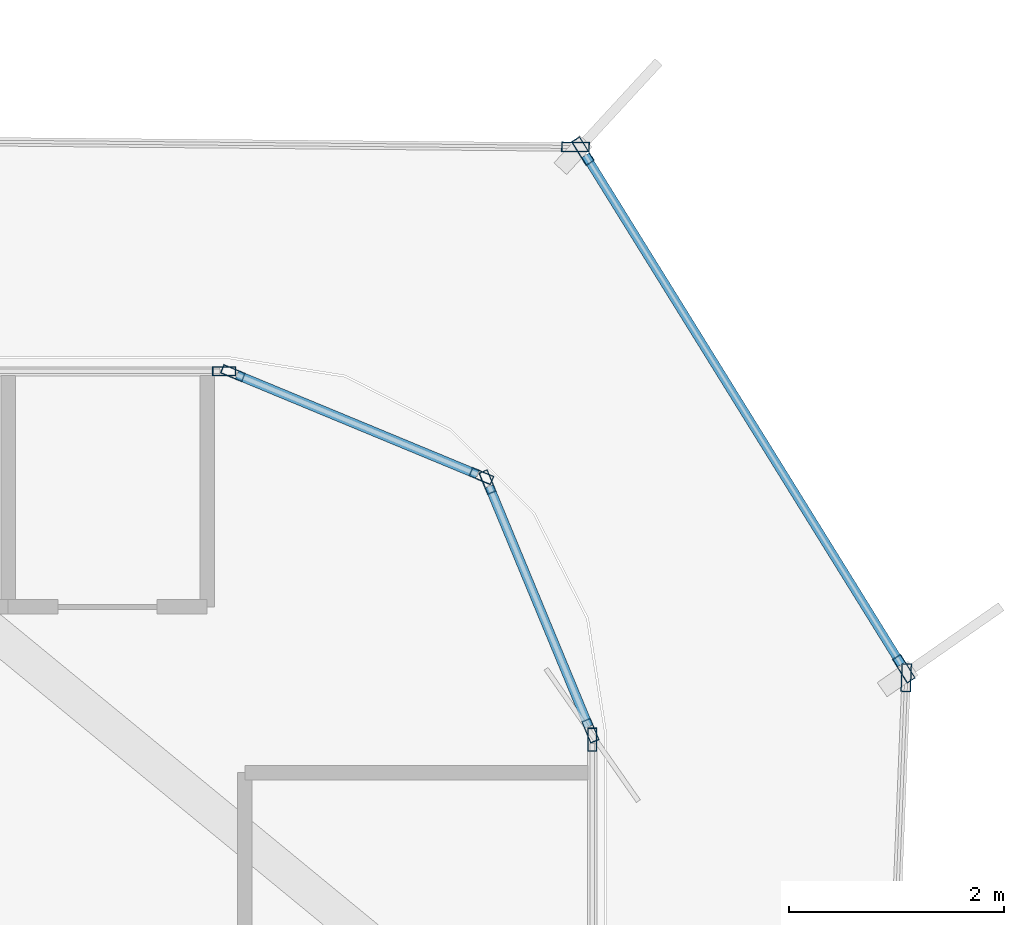
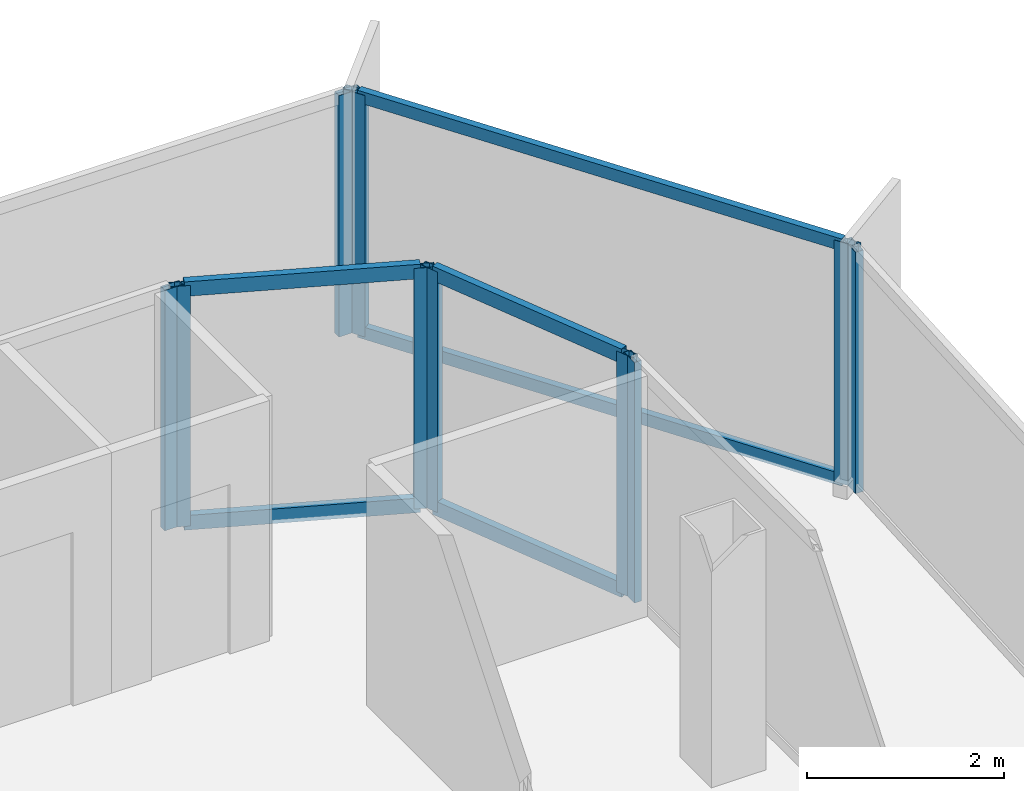
# One storey, part 8 of 15: 16 members, 7 elements without a shape of their own.
"""IFC4 building model written with IfcOpenShell, lengths in metres."""

from ifc_helpers import new_model, si_unit, direction, frame, origin, origin_2d, place, context, subcontext, project, spatial, hollow_rectangle, extrude, source, transform, mapped, material, layer, layer_set, material_profile, profile_set, type_object, element, aggregate, save


model = new_model("IFC4")

# Units and contexts
model_context = context("Model", 3, precision=1e-05, world=origin(), true_north=direction((0.0, 1.0)))
body_context = subcontext(model_context, "Body", "Model", "MODEL_VIEW")
ifc_project = project(units=[si_unit("LENGTHUNIT", "METRE"), si_unit("AREAUNIT", "SQUARE_METRE"), si_unit("VOLUMEUNIT", "CUBIC_METRE"), si_unit("PLANEANGLEUNIT", "RADIAN"), si_unit("MASSUNIT", "GRAM", prefix="KILO")], contexts=[model_context])

# Site, building, storey
site_placement = place(None, origin())
site = spatial("IfcSite", under=ifc_project, at=site_placement, CompositionType="ELEMENT")
building_placement = place(site_placement, origin())
building = spatial("IfcBuilding", under=site, at=building_placement, Name="Kolveth Station Tower", CompositionType="ELEMENT")
storey_placement = place(building_placement, frame((0.0, 0.0, 255.300048828125)))
storey = spatial("IfcBuildingStorey", under=building, at=storey_placement, Name="L73", CompositionType="ELEMENT", Elevation=255.300048828125)

# Curtain wall, member
ifc_material_1 = material(Name="Black anodized aluminium 6063-T6 and dark solar glass", Category="aluminium")
ifc_layer_1 = layer(ifc_material_1, 0.159912109375)
ifc_layer_set_1 = layer_set([ifc_layer_1], Name="Black anodized aluminium 6063-T6 and dark solar glass")
curtain_wall_type_1 = type_object("IfcCurtainWallType", Name="OUTER SKIN CW-OS", PredefinedType="NOTDEFINED", material=ifc_layer_set_1)
curtain_wall_1_placement = place(storey_placement, origin())
curtain_wall_1 = element("IfcCurtainWall", 1, at=curtain_wall_1_placement, inside=storey, type_object=curtain_wall_type_1, Name="L73 Outer Ventilated Skin Curtain Wall 2", PredefinedType="NOTDEFINED")
ifc_material_2 = material(Name="Black anodized aluminium 6063-T6", Category="aluminium")
ifc_material_profile_1 = material_profile(ifc_material_2, hollow_rectangle(XDim=0.090087890625, YDim=0.260009765625, WallThickness=0.0048828125, at=origin_2d()), Name="ALU-90x260x5")
ifc_profile_set_1 = profile_set([ifc_material_profile_1], Name="Black anodized aluminium 6063-T6")
member_type_1 = type_object("IfcMemberType", Name="FIN MULLION ML-OS", PredefinedType="MULLION", material=ifc_profile_set_1)
shared_shape_1 = source(origin(), body_context, "Body", "SweptSolid", [
    extrude(hollow_rectangle(XDim=0.090087890625, YDim=0.260009765625, WallThickness=0.0048828125, at=origin_2d()), origin(), (0.0, 0.0, 1.0), 2.989990234375),
])
member_1_placement = place(storey_placement, frame((44.599365234375, 32.332763671875, 0.0), z_axis=(0.0, 0.0, 1.0), x_axis=(-0.999174740998, 0.040618184996, 0.0)))
member_1 = element("IfcMember", 2, at=member_1_placement, type_object=member_type_1, Name="CW-OS mullion 2", PredefinedType="MULLION", context=body_context, shape_type="MappedRepresentation", body=[
    mapped(shared_shape_1, transform((0.0, 0.0, 0.0), x_axis=(1.0, 0.0, 0.0), y_axis=(0.0, 1.0, 0.0), z_axis=(0.0, 0.0, 1.0), scale=1.0)),
])
aggregate(curtain_wall_1, [member_1])

# Curtain wall, members
curtain_wall_2_placement = place(storey_placement, origin())
curtain_wall_2 = element("IfcCurtainWall", 3, at=curtain_wall_2_placement, inside=storey, type_object=curtain_wall_type_1, Name="L73 Outer Ventilated Skin Curtain Wall 3", PredefinedType="NOTDEFINED")
member_2_placement = place(storey_placement, frame((44.577392578125, 32.416015625, 0.0), z_axis=(0.0, 0.0, 1.0), x_axis=(-0.849843980394, -0.527034352759, 0.0)))
member_2 = element("IfcMember", 4, at=member_2_placement, type_object=member_type_1, Name="CW-OS mullion 1", PredefinedType="MULLION", context=body_context, shape_type="MappedRepresentation", body=[
    mapped(shared_shape_1, transform((0.0, 0.0, 0.0), x_axis=(1.0, 0.0, 0.0), y_axis=(0.0, 1.0, 0.0), z_axis=(0.0, 0.0, 1.0), scale=1.0)),
])
member_3_placement = place(storey_placement, frame((41.59326171875, 37.227783203125, 0.0), z_axis=(0.0, 0.0, 1.0), x_axis=(-0.849843980394, -0.527034352759, 0.0)))
member_3 = element("IfcMember", 5, at=member_3_placement, type_object=member_type_1, Name="CW-OS mullion 2", PredefinedType="MULLION", context=body_context, shape_type="MappedRepresentation", body=[
    mapped(shared_shape_1, transform((0.0, 0.0, 0.0), x_axis=(1.0, 0.0, 0.0), y_axis=(0.0, 1.0, 0.0), z_axis=(0.0, 0.0, 1.0), scale=1.0)),
])

# Curtain wall, member
curtain_wall_3_placement = place(storey_placement, origin())
curtain_wall_3 = element("IfcCurtainWall", 6, at=curtain_wall_3_placement, inside=storey, type_object=curtain_wall_type_1, Name="L73 Outer Ventilated Skin Curtain Wall 4", PredefinedType="NOTDEFINED")
member_4_placement = place(storey_placement, frame((41.524658203125, 37.2666015625, 0.0), z_axis=(0.0, 0.0, 1.0), x_axis=(-0.009021779458, -0.99995930292, 0.0)))
member_4 = element("IfcMember", 7, at=member_4_placement, type_object=member_type_1, Name="CW-OS mullion 1", PredefinedType="MULLION", context=body_context, shape_type="MappedRepresentation", body=[
    mapped(shared_shape_1, transform((0.0, 0.0, 0.0), x_axis=(1.0, 0.0, 0.0), y_axis=(0.0, 1.0, 0.0), z_axis=(0.0, 0.0, 1.0), scale=1.0)),
])
aggregate(curtain_wall_3, [member_4])

# Member
ifc_material_profile_2 = material_profile(ifc_material_2, hollow_rectangle(XDim=0.080078125, YDim=0.14990234375, WallThickness=0.0048828125, at=origin_2d()), Name="ALU-80x150x5")
ifc_profile_set_2 = profile_set([ifc_material_profile_2], Name="Black anodized aluminium 6063-T6")
member_type_2 = type_object("IfcMemberType", Name="Transom_TR-OS", PredefinedType="USERDEFINED", material=ifc_profile_set_2)
shared_shape_2 = source(origin(), body_context, "Body", "SweptSolid", [
    extrude(hollow_rectangle(XDim=0.080078125, YDim=0.14990234375, WallThickness=0.0048828125, at=origin_2d()), origin(), (0.0, 0.0, 1.0), 5.572021484375),
])
member_5_placement = place(storey_placement, frame((44.5537109375, 32.454345703125, 0.0400390625), z_axis=(-0.527049803096, 0.849834398607, 0.0), x_axis=(-0.849834398607, -0.527049803096, 0.0)))
member_5 = element("IfcMember", 8, at=member_5_placement, type_object=member_type_2, Name="CW-OS transom 1.1", ObjectType="TRANSOM", PredefinedType="USERDEFINED", context=body_context, shape_type="MappedRepresentation", body=[
    mapped(shared_shape_2, transform((0.0, 0.0, 0.0), x_axis=(1.0, 0.0, 0.0), y_axis=(0.0, 1.0, 0.0), z_axis=(0.0, 0.0, 1.0), scale=1.0)),
])

member_6_placement = place(storey_placement, frame((44.5537109375, 32.454345703125, 2.949951171875), z_axis=(-0.527049803096, 0.849834398607, 0.0), x_axis=(-0.849834398607, -0.527049803096, 0.0)))
member_6 = element("IfcMember", 9, at=member_6_placement, type_object=member_type_2, Name="CW-OS transom 1.2", ObjectType="TRANSOM", PredefinedType="USERDEFINED", context=body_context, shape_type="MappedRepresentation", body=[
    mapped(shared_shape_2, transform((0.0, 0.0, 0.0), x_axis=(1.0, 0.0, 0.0), y_axis=(0.0, 1.0, 0.0), z_axis=(0.0, 0.0, 1.0), scale=1.0)),
])

aggregate(curtain_wall_2, [member_2, member_3, member_5, member_6])

# Curtain wall, member
ifc_material_3 = material(Name="Aluminium 6063-T6 and triple low-E dark glass", Category="aluminium")
ifc_layer_2 = layer(ifc_material_3, 0.199951171875)
ifc_layer_set_2 = layer_set([ifc_layer_2], Name="Aluminium 6063-T6 and triple low-E dark glass")
curtain_wall_type_2 = type_object("IfcCurtainWallType", Name="CurtainWall_CW-Z3", PredefinedType="NOTDEFINED", material=ifc_layer_set_2)
curtain_wall_4_placement = place(storey_placement, origin())
curtain_wall_4 = element("IfcCurtainWall", 10, at=curtain_wall_4_placement, inside=storey, type_object=curtain_wall_type_2, Name="L73 Inner Thermal Curtain Wall 3", PredefinedType="NOTDEFINED")
ifc_material_profile_3 = material_profile(ifc_material_2, hollow_rectangle(XDim=0.0849609375, YDim=0.215087890625, WallThickness=0.0048828125, at=origin_2d()), Name="ALU-85x215x5")
ifc_profile_set_3 = profile_set([ifc_material_profile_3], Name="Black anodized aluminium 6063-T6")
member_type_3 = type_object("IfcMemberType", Name="Mullion_ML3", PredefinedType="MULLION", material=ifc_profile_set_3)
shared_shape_3 = source(origin(), body_context, "Body", "SweptSolid", [
    extrude(hollow_rectangle(XDim=0.0849609375, YDim=0.215087890625, WallThickness=0.0048828125, at=origin_2d()), origin(), (0.0, 0.0, 1.0), 2.97998046875),
])
member_7_placement = place(storey_placement, frame((41.679931640625, 31.757568359375, 0.0), z_axis=(0.0, 0.0, 1.0), x_axis=(-1.0, 0.0, 0.0)))
member_7 = element("IfcMember", 11, at=member_7_placement, type_object=member_type_3, Name="CW-Z3 mullion 2", PredefinedType="MULLION", context=body_context, shape_type="MappedRepresentation", body=[
    mapped(shared_shape_3, transform((0.0, 0.0, 0.0), x_axis=(1.0, 0.0, 0.0), y_axis=(0.0, 1.0, 0.0), z_axis=(0.0, 0.0, 1.0), scale=1.0)),
])
aggregate(curtain_wall_4, [member_7])

# Curtain wall, members
curtain_wall_5_placement = place(storey_placement, origin())
curtain_wall_5 = element("IfcCurtainWall", 12, at=curtain_wall_5_placement, inside=storey, type_object=curtain_wall_type_2, Name="L73 Inner Thermal Curtain Wall 4", PredefinedType="NOTDEFINED")
member_8_placement = place(storey_placement, frame((41.663818359375, 31.83935546875, 0.0), z_axis=(0.0, 0.0, 1.0), x_axis=(-0.923875488975, -0.382693194181, 0.0)))
member_8 = element("IfcMember", 13, at=member_8_placement, type_object=member_type_3, Name="CW-Z3 mullion 1", PredefinedType="MULLION", context=body_context, shape_type="MappedRepresentation", body=[
    mapped(shared_shape_3, transform((0.0, 0.0, 0.0), x_axis=(1.0, 0.0, 0.0), y_axis=(0.0, 1.0, 0.0), z_axis=(0.0, 0.0, 1.0), scale=1.0)),
])
member_9_placement = place(storey_placement, frame((40.706298828125, 34.150634765625, 0.0), z_axis=(0.0, 0.0, 1.0), x_axis=(-0.923875488975, -0.382693194181, 0.0)))
member_9 = element("IfcMember", 14, at=member_9_placement, type_object=member_type_3, Name="CW-Z3 mullion 2", PredefinedType="MULLION", context=body_context, shape_type="MappedRepresentation", body=[
    mapped(shared_shape_3, transform((0.0, 0.0, 0.0), x_axis=(1.0, 0.0, 0.0), y_axis=(0.0, 1.0, 0.0), z_axis=(0.0, 0.0, 1.0), scale=1.0)),
])

curtain_wall_6_placement = place(storey_placement, origin())
curtain_wall_6 = element("IfcCurtainWall", 15, at=curtain_wall_6_placement, inside=storey, type_object=curtain_wall_type_2, Name="L73 Inner Thermal Curtain Wall 5", PredefinedType="NOTDEFINED")
member_10_placement = place(storey_placement, frame((40.650634765625, 34.206298828125, 0.0), z_axis=(0.0, 0.0, 1.0), x_axis=(-0.382693194181, -0.923875488975, 0.0)))
member_10 = element("IfcMember", 16, at=member_10_placement, type_object=member_type_3, Name="CW-Z3 mullion 1", PredefinedType="MULLION", context=body_context, shape_type="MappedRepresentation", body=[
    mapped(shared_shape_3, transform((0.0, 0.0, 0.0), x_axis=(1.0, 0.0, 0.0), y_axis=(0.0, 1.0, 0.0), z_axis=(0.0, 0.0, 1.0), scale=1.0)),
])
member_11_placement = place(storey_placement, frame((38.33935546875, 35.163818359375, 0.0), z_axis=(0.0, 0.0, 1.0), x_axis=(-0.382693194181, -0.923875488975, 0.0)))
member_11 = element("IfcMember", 17, at=member_11_placement, type_object=member_type_3, Name="CW-Z3 mullion 2", PredefinedType="MULLION", context=body_context, shape_type="MappedRepresentation", body=[
    mapped(shared_shape_3, transform((0.0, 0.0, 0.0), x_axis=(1.0, 0.0, 0.0), y_axis=(0.0, 1.0, 0.0), z_axis=(0.0, 0.0, 1.0), scale=1.0)),
])

# Curtain wall, member
curtain_wall_7_placement = place(storey_placement, origin())
curtain_wall_7 = element("IfcCurtainWall", 18, at=curtain_wall_7_placement, inside=storey, type_object=curtain_wall_type_2, Name="L73 Inner Thermal Curtain Wall 6", PredefinedType="NOTDEFINED")
member_12_placement = place(storey_placement, frame((38.257568359375, 35.179931640625, 0.0), z_axis=(0.0, 0.0, 1.0), x_axis=(0.0, -1.0, 0.0)))
member_12 = element("IfcMember", 19, at=member_12_placement, type_object=member_type_3, Name="CW-Z3 mullion 1", PredefinedType="MULLION", context=body_context, shape_type="MappedRepresentation", body=[
    mapped(shared_shape_3, transform((0.0, 0.0, 0.0), x_axis=(1.0, 0.0, 0.0), y_axis=(0.0, 1.0, 0.0), z_axis=(0.0, 0.0, 1.0), scale=1.0)),
])
aggregate(curtain_wall_7, [member_12])

# Member
ifc_material_profile_4 = material_profile(ifc_material_2, hollow_rectangle(XDim=0.0849609375, YDim=0.179931640625, WallThickness=0.0048828125, at=origin_2d()), Name="ALU-85x180x5")
ifc_profile_set_4 = profile_set([ifc_material_profile_4], Name="Black anodized aluminium 6063-T6")
member_type_4 = type_object("IfcMemberType", Name="Transom_TR3", PredefinedType="USERDEFINED", material=ifc_profile_set_4)
shared_shape_4 = source(origin(), body_context, "Body", "SweptSolid", [
    extrude(hollow_rectangle(XDim=0.0849609375, YDim=0.179931640625, WallThickness=0.0048828125, at=origin_2d()), origin(), (0.0, 0.0, 1.0), 2.417236328125),
])
member_13_placement = place(storey_placement, frame((41.6474609375, 31.87841796875, 0.04248046875), z_axis=(-0.382699687013, 0.923872799448, 0.0), x_axis=(-0.923872799448, -0.382699687013, 0.0)))
member_13 = element("IfcMember", 20, at=member_13_placement, type_object=member_type_4, Name="CW-Z3 transom 1.1", ObjectType="TRANSOM", PredefinedType="USERDEFINED", context=body_context, shape_type="MappedRepresentation", body=[
    mapped(shared_shape_4, transform((0.0, 0.0, 0.0), x_axis=(1.0, 0.0, 0.0), y_axis=(0.0, 1.0, 0.0), z_axis=(0.0, 0.0, 1.0), scale=1.0)),
])

member_14_placement = place(storey_placement, frame((41.6474609375, 31.87841796875, 2.9375), z_axis=(-0.382699687013, 0.923872799448, 0.0), x_axis=(-0.923872799448, -0.382699687013, 0.0)))
member_14 = element("IfcMember", 21, at=member_14_placement, type_object=member_type_4, Name="CW-Z3 transom 1.2", ObjectType="TRANSOM", PredefinedType="USERDEFINED", context=body_context, shape_type="MappedRepresentation", body=[
    mapped(shared_shape_4, transform((0.0, 0.0, 0.0), x_axis=(1.0, 0.0, 0.0), y_axis=(0.0, 1.0, 0.0), z_axis=(0.0, 0.0, 1.0), scale=1.0)),
])

aggregate(curtain_wall_5, [member_8, member_9, member_13, member_14])

member_15_placement = place(storey_placement, frame((40.611572265625, 34.222412109375, 0.04248046875), z_axis=(-0.923872799448, 0.382699687013, 0.0), x_axis=(-0.382699687013, -0.923872799448, 0.0)))
member_15 = element("IfcMember", 22, at=member_15_placement, type_object=member_type_4, Name="CW-Z3 transom 1.1", ObjectType="TRANSOM", PredefinedType="USERDEFINED", context=body_context, shape_type="MappedRepresentation", body=[
    mapped(shared_shape_4, transform((0.0, 0.0, 0.0), x_axis=(1.0, 0.0, 0.0), y_axis=(0.0, 1.0, 0.0), z_axis=(0.0, 0.0, 1.0), scale=1.0)),
])

member_16_placement = place(storey_placement, frame((40.611572265625, 34.222412109375, 2.9375), z_axis=(-0.923872799448, 0.382699687013, 0.0), x_axis=(-0.382699687013, -0.923872799448, 0.0)))
member_16 = element("IfcMember", 23, at=member_16_placement, type_object=member_type_4, Name="CW-Z3 transom 1.2", ObjectType="TRANSOM", PredefinedType="USERDEFINED", context=body_context, shape_type="MappedRepresentation", body=[
    mapped(shared_shape_4, transform((0.0, 0.0, 0.0), x_axis=(1.0, 0.0, 0.0), y_axis=(0.0, 1.0, 0.0), z_axis=(0.0, 0.0, 1.0), scale=1.0)),
])

aggregate(curtain_wall_6, [member_10, member_11, member_15, member_16])

save(model, "model.ifc")
